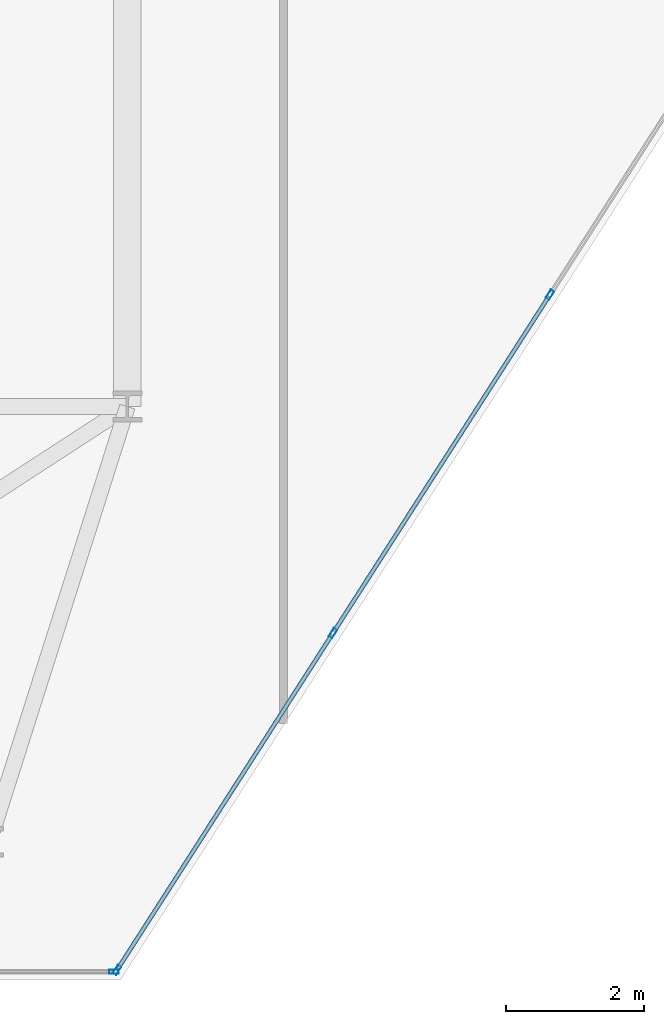
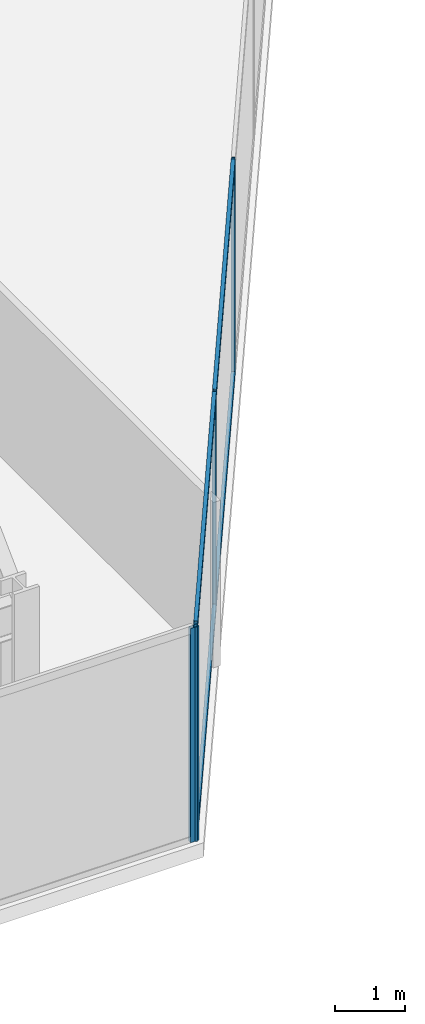
# One storey, part 7 of 26: 8 members, 2 elements without a shape of their own.
"""IFC4 building model written with IfcOpenShell, lengths in metres."""

from ifc_helpers import new_model, si_unit, direction, frame, origin, origin_2d, place, context, subcontext, project, spatial, hollow_rectangle, extrude, material, layer, layer_set, material_profile, profile_set, type_object, element, aggregate, save


model = new_model("IFC4")

# Units and contexts
model_context = context("Model", 3, precision=1e-05, world=origin(), true_north=direction((0.0, 1.0)))
body_context = subcontext(model_context, "Body", "Model", "MODEL_VIEW")
ifc_project = project(units=[si_unit("LENGTHUNIT", "METRE"), si_unit("AREAUNIT", "SQUARE_METRE"), si_unit("VOLUMEUNIT", "CUBIC_METRE"), si_unit("PLANEANGLEUNIT", "RADIAN"), si_unit("MASSUNIT", "GRAM", prefix="KILO")], contexts=[model_context])

# Site, building, storey
site_placement = place(None, origin())
site = spatial("IfcSite", under=ifc_project, at=site_placement, CompositionType="ELEMENT")
building_placement = place(site_placement, origin())
building = spatial("IfcBuilding", under=site, at=building_placement, Name="Kravanh Interchange Tower", CompositionType="ELEMENT")
storey_placement = place(building_placement, frame((0.0, 0.0, 128.0)))
storey = spatial("IfcBuildingStorey", under=building, at=storey_placement, Name="L30", CompositionType="ELEMENT", Elevation=128.0)

# Curtain wall, members
ifc_material_1 = material(Name="Anodised Bronze Aluminium", Category="aluminium")
ifc_layer = layer(ifc_material_1, 0.179931640625)
ifc_layer_set = layer_set([ifc_layer], Name="Unitised Curtain Wall System CW-Z2 Mid Office")
curtain_wall_type = type_object("IfcCurtainWallType", Name="Unitised Curtain Wall System CW-Z2 Mid Office", PredefinedType="NOTDEFINED", material=ifc_layer_set)
curtain_wall_1_placement = place(storey_placement, origin())
curtain_wall_1 = element("IfcCurtainWall", 1, at=curtain_wall_1_placement, inside=storey, type_object=curtain_wall_type, Name="L30 Unitised Curtain Wall CW-L30-05", PredefinedType="NOTDEFINED")
ifc_material_2 = material(Name="Anodised Bronze Aluminium", Category="aluminium")
ifc_material_profile_1 = material_profile(ifc_material_2, hollow_rectangle(XDim=0.06005859375, YDim=0.139892578125, WallThickness=0.00390625, at=origin_2d()), Name="ALU60X140X4")
ifc_profile_set_1 = profile_set([ifc_material_profile_1], Name="Anodised Bronze Aluminium")
member_type_1 = type_object("IfcMemberType", Name="Curtain Wall Mullion ALU60X140X4 Bronze", PredefinedType="MULLION", material=ifc_profile_set_1)
member_1_placement = place(storey_placement, frame((33.317138671875, 16.12109375, 0.0), z_axis=(0.0, 0.0, 1.0), x_axis=(0.841879939476, -0.539664865919, 0.0)))
member_1 = element("IfcMember", 2, at=member_1_placement, type_object=member_type_1, Name="CW-Z2 mullion 3", PredefinedType="MULLION", context=body_context, shape_type="SweptSolid", body=[
    extrude(hollow_rectangle(XDim=0.06005859375, YDim=0.139892578125, WallThickness=0.00390625, at=origin_2d()), origin(), (0.0, 0.0, 1.0), 3.75),
])
member_2_placement = place(storey_placement, frame((30.17578125, 11.220703125, 0.0), z_axis=(0.0, 0.0, 1.0), x_axis=(0.841879939476, -0.539664865919, 0.0)))
member_2 = element("IfcMember", 3, at=member_2_placement, type_object=member_type_1, Name="CW-Z2 mullion 4", PredefinedType="MULLION", context=body_context, shape_type="SweptSolid", body=[
    extrude(hollow_rectangle(XDim=0.06005859375, YDim=0.139892578125, WallThickness=0.00390625, at=origin_2d()), origin(), (0.0, 0.0, 1.0), 3.75),
])
member_3_placement = place(storey_placement, frame((27.050537109375, 6.34521484375, 0.0), z_axis=(0.0, 0.0, 1.0), x_axis=(0.841879939476, -0.539664865919, 0.0)))
member_3 = element("IfcMember", 4, at=member_3_placement, type_object=member_type_1, Name="CW-Z2 mullion 5", PredefinedType="MULLION", context=body_context, shape_type="SweptSolid", body=[
    extrude(hollow_rectangle(XDim=0.06005859375, YDim=0.139892578125, WallThickness=0.00390625, at=origin_2d()), origin(), (0.0, 0.0, 1.0), 3.75),
])

# Curtain wall, member
curtain_wall_2_placement = place(storey_placement, origin())
curtain_wall_2 = element("IfcCurtainWall", 5, at=curtain_wall_2_placement, inside=storey, type_object=curtain_wall_type, Name="L30 Unitised Curtain Wall CW-L30-06", PredefinedType="NOTDEFINED")
member_4_placement = place(storey_placement, frame((27.00439453125, 6.320068359375, 0.0), z_axis=(0.0, 0.0, 1.0), x_axis=(0.0, -1.0, 0.0)))
member_4 = element("IfcMember", 6, at=member_4_placement, type_object=member_type_1, Name="CW-Z2 mullion 1", PredefinedType="MULLION", context=body_context, shape_type="SweptSolid", body=[
    extrude(hollow_rectangle(XDim=0.06005859375, YDim=0.139892578125, WallThickness=0.00390625, at=origin_2d()), origin(), (0.0, 0.0, 1.0), 3.75),
])
aggregate(curtain_wall_2, [member_4])

# Member
ifc_material_3 = material(Name="Anodised Bronze Aluminium", Category="aluminium")
ifc_material_profile_2 = material_profile(ifc_material_3, hollow_rectangle(XDim=0.06005859375, YDim=0.139892578125, WallThickness=0.00390625, at=origin_2d()), Name="ALU60X140X4")
ifc_profile_set_2 = profile_set([ifc_material_profile_2], Name="Anodised Bronze Aluminium")
member_type_2 = type_object("IfcMemberType", Name="Curtain Wall Transom ALU60X140X4 Bronze", PredefinedType="USERDEFINED", material=ifc_profile_set_2)
member_5_placement = place(storey_placement, frame((33.301025390625, 16.095947265625, 0.030029296875), z_axis=(-0.539677666788, -0.84187173368, 0.0), x_axis=(0.84187173368, -0.539677666788, 0.0)))
member_5 = element("IfcMember", 7, at=member_5_placement, type_object=member_type_2, Name="CW-Z2 transom 3.1", ObjectType="TRANSOM", PredefinedType="USERDEFINED", context=body_context, shape_type="SweptSolid", body=[
    extrude(hollow_rectangle(XDim=0.06005859375, YDim=0.139892578125, WallThickness=0.00390625, at=origin_2d()), origin(), (0.0, 0.0, 1.0), 5.760986328125),
])

member_6_placement = place(storey_placement, frame((33.301025390625, 16.095947265625, 3.719970703125), z_axis=(-0.539677666788, -0.84187173368, 0.0), x_axis=(0.84187173368, -0.539677666788, 0.0)))
member_6 = element("IfcMember", 8, at=member_6_placement, type_object=member_type_2, Name="CW-Z2 transom 3.2", ObjectType="TRANSOM", PredefinedType="USERDEFINED", context=body_context, shape_type="SweptSolid", body=[
    extrude(hollow_rectangle(XDim=0.06005859375, YDim=0.139892578125, WallThickness=0.00390625, at=origin_2d()), origin(), (0.0, 0.0, 1.0), 5.760986328125),
])

member_7_placement = place(storey_placement, frame((30.15966796875, 11.1953125, 0.030029296875), z_axis=(-0.53966766312, -0.841878146398, 0.0), x_axis=(0.841878146398, -0.53966766312, 0.0)))
member_7 = element("IfcMember", 9, at=member_7_placement, type_object=member_type_2, Name="CW-Z2 transom 4.1", ObjectType="TRANSOM", PredefinedType="USERDEFINED", context=body_context, shape_type="SweptSolid", body=[
    extrude(hollow_rectangle(XDim=0.06005859375, YDim=0.139892578125, WallThickness=0.00390625, at=origin_2d()), origin(), (0.0, 0.0, 1.0), 5.73095703125),
])

member_8_placement = place(storey_placement, frame((30.15966796875, 11.1953125, 3.719970703125), z_axis=(-0.53966766312, -0.841878146398, 0.0), x_axis=(0.841878146398, -0.53966766312, 0.0)))
member_8 = element("IfcMember", 10, at=member_8_placement, type_object=member_type_2, Name="CW-Z2 transom 4.2", ObjectType="TRANSOM", PredefinedType="USERDEFINED", context=body_context, shape_type="SweptSolid", body=[
    extrude(hollow_rectangle(XDim=0.06005859375, YDim=0.139892578125, WallThickness=0.00390625, at=origin_2d()), origin(), (0.0, 0.0, 1.0), 5.73095703125),
])

aggregate(curtain_wall_1, [member_1, member_2, member_3, member_5, member_6, member_7, member_8])

save(model, "model.ifc")
